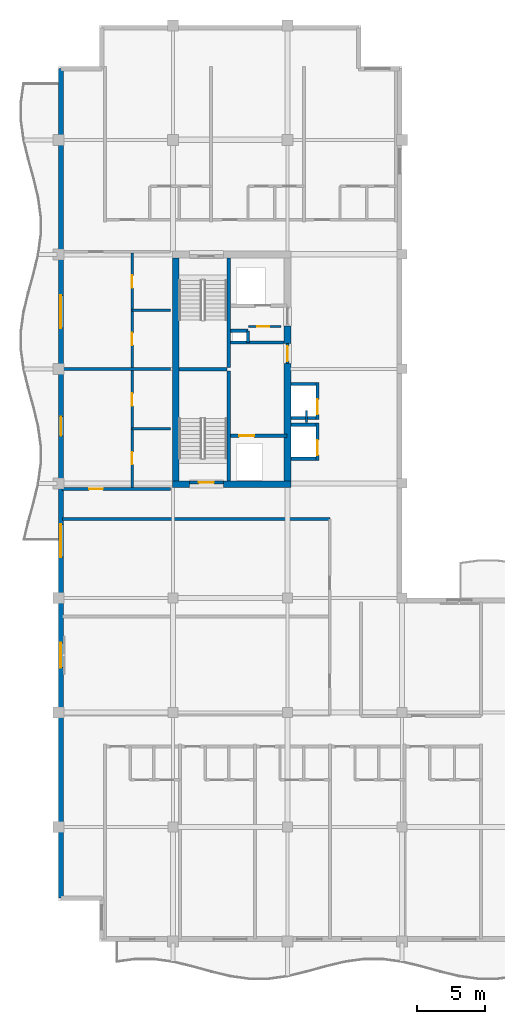
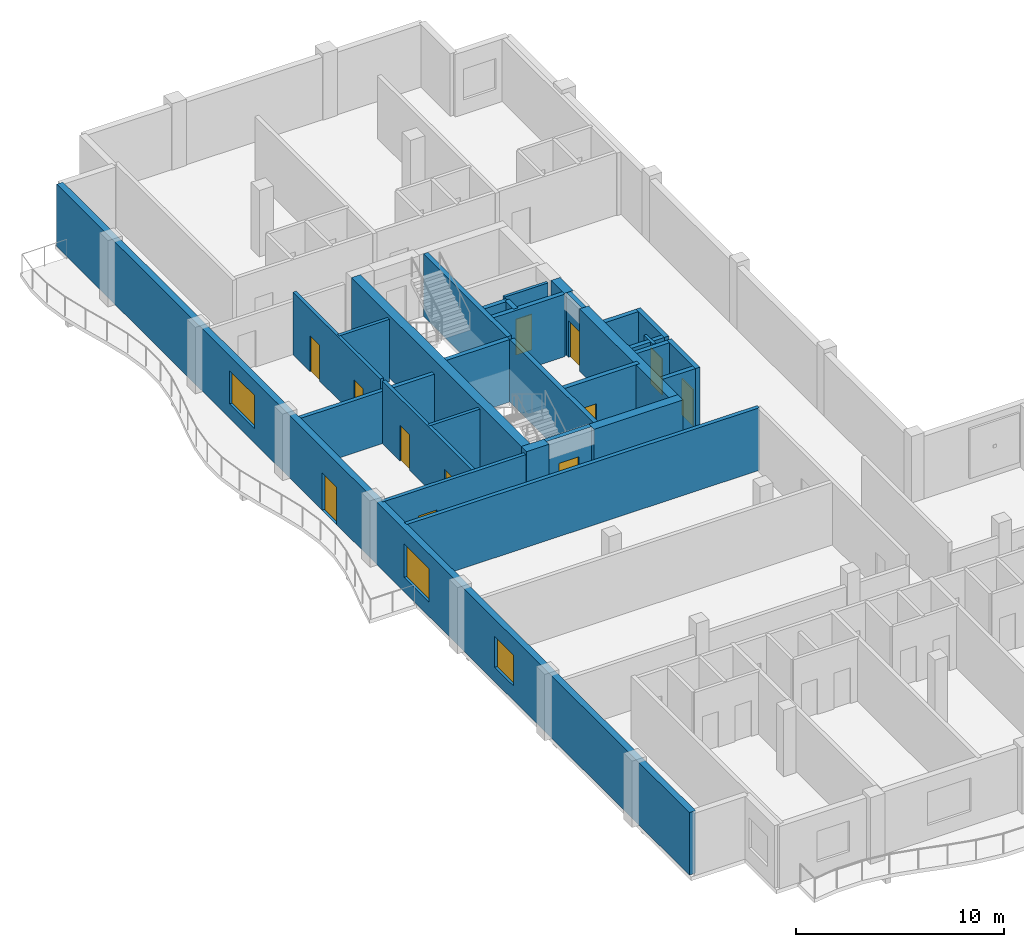
# One storey, part 6 of 12: 30 walls, 12 doors, 3 windows, 15 openings.
"""IFC4 building model written with IfcOpenShell, lengths in metres."""

from ifc_helpers import new_model, si_unit, direction, frame, frame_2d, origin, place, context, subcontext, project, spatial, rectangle, extrude, material, layer, layer_set, type_object, element, fill, save


model = new_model("IFC4")

# Units and contexts
model_context = context("Model", 3, precision=1e-05, world=origin(), true_north=direction((0.0, 1.0)))
body_context = subcontext(model_context, "Body", "Model", "MODEL_VIEW")
ifc_project = project(units=[si_unit("LENGTHUNIT", "METRE"), si_unit("AREAUNIT", "SQUARE_METRE"), si_unit("VOLUMEUNIT", "CUBIC_METRE"), si_unit("PLANEANGLEUNIT", "RADIAN"), si_unit("MASSUNIT", "GRAM", prefix="KILO")], contexts=[model_context])

# Site, building, storey
site_placement = place(None, origin())
site = spatial("IfcSite", under=ifc_project, at=site_placement, CompositionType="ELEMENT")
building_placement = place(site_placement, origin())
building = spatial("IfcBuilding", under=site, at=building_placement, Name="Koriwani Terraces Tower", CompositionType="ELEMENT")
storey_placement = place(building_placement, frame((0.0, 0.0, 351.5)))
storey = spatial("IfcBuildingStorey", under=building, at=storey_placement, Name="L87", CompositionType="ELEMENT", Elevation=351.5)

# Walls
ifc_material_1 = material(Name="Concrete C50/60", Category="concrete")
ifc_layer_1 = layer(ifc_material_1, 0.5, Name="Concrete C50/60")
ifc_layer_set_1 = layer_set([ifc_layer_1], Name="Concrete C50/60")
wall_type_1 = type_object("IfcWallType", Name="WALL_CORE_RC_500", PredefinedType="SHEAR", material=ifc_layer_set_1)
wall_1_placement = place(storey_placement, frame((16.75, 41.949951171875, 0.0), z_axis=(0.0, 0.0, 1.0), x_axis=(1.0, 0.0, 0.0)))
element("IfcWall", 1, at=wall_1_placement, inside=storey, type_object=wall_type_1, Name="L87 West Split Core Shear Wall S1", PredefinedType="SHEAR", context=body_context, shape_type="SweptSolid", body=[
    extrude(rectangle(XDim=1.25, YDim=0.5, at=frame_2d((0.625, 0.0))), origin(), (0.0, 0.0, 1.0), 3.669921875),
])
wall_2_placement = place(storey_placement, frame((20.5, 41.949951171875, 0.0), z_axis=(0.0, 0.0, 1.0), x_axis=(1.0, 0.0, 0.0)))
element("IfcWall", 2, at=wall_2_placement, inside=storey, type_object=wall_type_1, Name="L87 West Split Core Shear Wall S2", PredefinedType="SHEAR", context=body_context, shape_type="SweptSolid", body=[
    extrude(rectangle(XDim=4.949951171875, YDim=0.5, at=frame_2d((2.47509765625, 0.0))), origin(), (0.0, 0.0, 1.0), 3.669921875),
])
wall_3_placement = place(storey_placement, frame((17.0, 42.199951171875, 0.0), z_axis=(0.0, 0.0, 1.0), x_axis=(0.0, 1.0, 0.0)))
element("IfcWall", 3, at=wall_3_placement, inside=storey, type_object=wall_type_1, Name="L87 West Split Core Shear Wall W1", PredefinedType="SHEAR", context=body_context, shape_type="SweptSolid", body=[
    extrude(rectangle(XDim=16.35009765625, YDim=0.5, at=frame_2d((8.175048828125, 0.0))), origin(), (0.0, 0.0, 1.0), 3.669921875),
])
wall_4_placement = place(storey_placement, frame((25.199951171875, 42.199951171875, 0.0), z_axis=(0.0, 0.0, 1.0), x_axis=(0.0, 1.0, 0.0)))
element("IfcWall", 4, at=wall_4_placement, inside=storey, type_object=wall_type_1, Name="L87 West Split Core Shear Wall E1", PredefinedType="SHEAR", context=body_context, shape_type="SweptSolid", body=[
    extrude(rectangle(XDim=8.60009765625, YDim=0.5, at=frame_2d((4.300048828125, 0.0))), origin(), (0.0, 0.0, 1.0), 3.669921875),
])
wall_5_placement = place(storey_placement, frame((25.199951171875, 52.280029296875, 0.0), z_axis=(0.0, 0.0, 1.0), x_axis=(0.0, 1.0, 0.0)))
element("IfcWall", 5, at=wall_5_placement, inside=storey, type_object=wall_type_1, Name="L87 West Split Core Shear Wall E2", PredefinedType="SHEAR", context=body_context, shape_type="SweptSolid", body=[
    extrude(rectangle(XDim=1.27001953125, YDim=0.5, at=frame_2d((0.635009765625, 0.0))), origin(), (0.0, 0.0, 1.0), 3.669921875),
])

# Wall, opening, door
ifc_material_2 = material(Name="Autoclaved Cellular Concrete Blockwork", Category="masonry")
ifc_layer_2 = layer(ifc_material_2, 0.199951171875, Name="Autoclaved Cellular Concrete Blockwork")
ifc_layer_set_2 = layer_set([ifc_layer_2], Name="Autoclaved Cellular Concrete Blockwork")
wall_type_2 = type_object("IfcWallType", Name="WALL_CORRIDOR_200", PredefinedType="PARTITIONING", material=ifc_layer_set_2)
wall_6_placement = place(storey_placement, frame((8.64990234375, 41.60009765625, 0.0), z_axis=(0.0, 0.0, 1.0), x_axis=(1.0, 0.0, 0.0)))
wall_6 = element("IfcWall", 6, at=wall_6_placement, inside=storey, type_object=wall_type_2, Name="L87 Interior Wall WRZ4-WS-L87", PredefinedType="PARTITIONING", context=body_context, shape_type="SweptSolid", body=[
    extrude(rectangle(XDim=7.9501953125, YDim=0.199951171875, at=frame_2d((3.97509765625, 0.0))), origin(), (0.0, 0.0, 1.0), 3.669921875),
])
opening_1_placement = place(wall_6_placement, frame((2.0, 0.0, 0.0)))
opening_1 = element("IfcOpeningElement", 7, at=opening_1_placement, cuts=wall_6, Name="Opening D-05", PredefinedType="OPENING", context=body_context, shape_type="SweptSolid", body=[
    extrude(rectangle(XDim=1.0, YDim=2.14990234375, at=frame_2d((0.5, 1.074951171875))), frame((0.0, 0.10986328125, 0.0), z_axis=(0.0, -1.0, 0.0), x_axis=(1.0, 0.0, 0.0)), (0.0, 0.0, 1.0), 0.219970703125),
])
ifc_material_3 = material(Name="Architectural Oak Fire Door", Category="wood")
door_type_1 = type_object("IfcDoorType", Name="DOOR_SUITE_ENTRY_1000X2150", OperationType="NOTDEFINED", PredefinedType="DOOR", material=ifc_material_3)
door_1_placement = place(opening_1_placement, origin())
door_1 = element("IfcDoor", 8, at=door_1_placement, inside=storey, type_object=door_type_1, Name="Apartment 87RW1 Entrance Door", OperationType="SINGLE_SWING_RIGHT", OverallHeight=2.14990234375, OverallWidth=1.0, PredefinedType="DOOR", context=body_context, shape_type="SweptSolid", body=[
    extrude(rectangle(XDim=1.0, YDim=2.14990234375, at=frame_2d((0.5, 1.074951171875))), frame((0.0, 0.02490234375, 0.0), z_axis=(0.0, -1.0, 0.0), x_axis=(1.0, 0.0, 0.0)), (0.0, 0.0, 1.0), 0.050048828125),
])
fill(opening_1, door_1)

# Walls
ifc_layer_3 = layer(ifc_material_2, 0.219970703125, Name="Autoclaved Cellular Concrete Blockwork")
ifc_layer_set_3 = layer_set([ifc_layer_3], Name="Autoclaved Cellular Concrete Blockwork")
wall_type_3 = type_object("IfcWallType", Name="WALL_DEMISING_220", PredefinedType="PARTITIONING", material=ifc_layer_set_3)
wall_7_placement = place(storey_placement, frame((8.64990234375, 50.39990234375, 0.0), z_axis=(0.0, 0.0, 1.0), x_axis=(1.0, 0.0, 0.0)))
element("IfcWall", 9, at=wall_7_placement, inside=storey, type_object=wall_type_3, Name="L87 Interior Wall WRZ4-WM-L87", PredefinedType="PARTITIONING", context=body_context, shape_type="SweptSolid", body=[
    extrude(rectangle(XDim=7.9501953125, YDim=0.219970703125, at=frame_2d((3.97509765625, 0.0))), origin(), (0.0, 0.0, 1.0), 3.070068359375),
])
wall_8_placement = place(storey_placement, frame((8.699951171875, 39.39990234375, 0.0), z_axis=(0.0, 0.0, 1.0), x_axis=(1.0, 0.0, 0.0)))
element("IfcWall", 10, at=wall_8_placement, inside=storey, type_object=wall_type_3, Name="L87 Interior Wall WZ4NEN-L87", PredefinedType="PARTITIONING", context=body_context, shape_type="SweptSolid", body=[
    extrude(rectangle(XDim=19.60009765625, YDim=0.219970703125, at=frame_2d((9.800048828125, 0.0))), origin(), (0.0, 0.0, 1.0), 3.669921875),
])

# Wall, openings, door, windows
ifc_layer_4 = layer(ifc_material_1, 0.35009765625, Name="Concrete C50/60")
ifc_layer_set_4 = layer_set([ifc_layer_4], Name="Concrete C50/60")
wall_type_4 = type_object("IfcWallType", Name="WALL_EXT_BRUTALIST_350", PredefinedType="STANDARD", material=ifc_layer_set_4)
wall_9_placement = place(storey_placement, frame((8.574951171875, 11.574951171875, 0.0), z_axis=(0.0, 0.0, 1.0), x_axis=(0.0, 1.0, 0.0)))
wall_9 = element("IfcWall", 11, at=wall_9_placement, inside=storey, type_object=wall_type_4, Name="L87 Fair-Faced Brutalist Exterior Wall (W)", PredefinedType="STANDARD", context=body_context, shape_type="SweptSolid", body=[
    extrude(rectangle(XDim=60.85009765625, YDim=0.35009765625, at=frame_2d((30.425048828125, 0.0))), origin(), (0.0, 0.0, 1.0), 3.669921875),
])
opening_2_placement = place(wall_9_placement, frame((33.925048828125, 0.0, 0.0)))
opening_2 = element("IfcOpeningElement", 12, at=opening_2_placement, cuts=wall_9, Name="Opening D-09", PredefinedType="OPENING", context=body_context, shape_type="SweptSolid", body=[
    extrude(rectangle(XDim=1.39990234375, YDim=2.199951171875, at=frame_2d((0.699951171875, 1.10009765625))), frame((0.0, 0.18505859375, 0.0), z_axis=(0.0, -1.0, 0.0), x_axis=(1.0, 0.0, 0.0)), (0.0, 0.0, 1.0), 0.3701171875),
])
opening_3_placement = place(wall_9_placement, frame((16.925048828125, 0.0, 0.85009765625)))
opening_3 = element("IfcOpeningElement", 13, at=opening_3_placement, cuts=wall_9, Name="Opening W-04", PredefinedType="OPENING", context=body_context, shape_type="SweptSolid", body=[
    extrude(rectangle(XDim=1.800048828125, YDim=1.800048828125, at=frame_2d((0.89990234375, 0.89990234375))), frame((0.0, 0.18505859375, 0.0), z_axis=(0.0, -1.0, 0.0), x_axis=(1.0, 0.0, 0.0)), (0.0, 0.0, 1.0), 0.3701171875),
])
opening_4_placement = place(wall_9_placement, frame((25.02490234375, 0.0, 0.85009765625)))
opening_4 = element("IfcOpeningElement", 14, at=opening_4_placement, cuts=wall_9, Name="Opening W-03", PredefinedType="OPENING", context=body_context, shape_type="SweptSolid", body=[
    extrude(rectangle(XDim=2.39990234375, YDim=1.949951171875, at=frame_2d((1.199951171875, 0.97509765625))), frame((0.0, 0.18505859375, 0.0), z_axis=(0.0, -1.0, 0.0), x_axis=(1.0, 0.0, 0.0)), (0.0, 0.0, 1.0), 0.3701171875),
])
opening_5_placement = place(wall_9_placement, frame((41.824951171875, 0.0, 0.85009765625)))
opening_5 = element("IfcOpeningElement", 15, at=opening_5_placement, cuts=wall_9, Name="Opening W-03", PredefinedType="OPENING", context=body_context, shape_type="SweptSolid", body=[
    extrude(rectangle(XDim=2.39990234375, YDim=1.949951171875, at=frame_2d((1.199951171875, 0.97509765625))), frame((0.0, 0.18505859375, 0.0), z_axis=(0.0, -1.0, 0.0), x_axis=(1.0, 0.0, 0.0)), (0.0, 0.0, 1.0), 0.3701171875),
])
ifc_material_4 = material(Name="Anodised Bronze Aluminium", Category="aluminium")
door_type_2 = type_object("IfcDoorType", Name="DOOR_BALCONY_GLAZED_1400X2200", OperationType="NOTDEFINED", PredefinedType="DOOR", material=ifc_material_4)
door_2_placement = place(opening_2_placement, origin())
door_2 = element("IfcDoor", 16, at=door_2_placement, inside=storey, type_object=door_type_2, Name="L87 West Balcony Glazed Door", OperationType="SINGLE_SWING_LEFT", OverallHeight=2.199951171875, OverallWidth=1.39990234375, PredefinedType="DOOR", context=body_context, shape_type="SweptSolid", body=[
    extrude(rectangle(XDim=1.39990234375, YDim=2.199951171875, at=frame_2d((0.699951171875, 1.10009765625))), frame((0.0, 0.02490234375, 0.0), z_axis=(0.0, -1.0, 0.0), x_axis=(1.0, 0.0, 0.0)), (0.0, 0.0, 1.0), 0.050048828125),
])
fill(opening_2, door_2)
ifc_material_5 = material(Name="Tempered Laminated Low-E Glass", Category="glass")
window_type_1 = type_object("IfcWindowType", Name="WIN_RES_BED_1800X1800", PartitioningType="DOUBLE_PANEL_VERTICAL", PredefinedType="WINDOW", material=ifc_material_5)
window_1_placement = place(opening_3_placement, origin())
window_1 = element("IfcWindow", 17, at=window_1_placement, inside=storey, type_object=window_type_1, Name="L87 Exterior Window (W-6)", OverallHeight=1.800048828125, OverallWidth=1.800048828125, PartitioningType="SINGLE_PANEL", PredefinedType="WINDOW", context=body_context, shape_type="SweptSolid", body=[
    extrude(rectangle(XDim=1.800048828125, YDim=1.800048828125, at=frame_2d((0.89990234375, 0.89990234375))), frame((0.0, 0.030029296875, 0.0), z_axis=(0.0, -1.0, 0.0), x_axis=(1.0, 0.0, 0.0)), (0.0, 0.0, 1.0), 0.06005859375),
])
fill(opening_3, window_1)
window_type_2 = type_object("IfcWindowType", Name="WIN_RES_LIVING_2400X1950", PartitioningType="DOUBLE_PANEL_VERTICAL", PredefinedType="WINDOW", material=ifc_material_5)
window_2_placement = place(opening_4_placement, origin())
window_2 = element("IfcWindow", 18, at=window_2_placement, inside=storey, type_object=window_type_2, Name="L87 Exterior Window (W-9)", OverallHeight=1.949951171875, OverallWidth=2.39990234375, PartitioningType="SINGLE_PANEL", PredefinedType="WINDOW", context=body_context, shape_type="SweptSolid", body=[
    extrude(rectangle(XDim=2.39990234375, YDim=1.949951171875, at=frame_2d((1.199951171875, 0.97509765625))), frame((0.0, 0.030029296875, 0.0), z_axis=(0.0, -1.0, 0.0), x_axis=(1.0, 0.0, 0.0)), (0.0, 0.0, 1.0), 0.06005859375),
])
fill(opening_4, window_2)
window_3_placement = place(opening_5_placement, origin())
window_3 = element("IfcWindow", 19, at=window_3_placement, inside=storey, type_object=window_type_2, Name="L87 Exterior Window (W-15)", OverallHeight=1.949951171875, OverallWidth=2.39990234375, PartitioningType="SINGLE_PANEL", PredefinedType="WINDOW", context=body_context, shape_type="SweptSolid", body=[
    extrude(rectangle(XDim=2.39990234375, YDim=1.949951171875, at=frame_2d((1.199951171875, 0.97509765625))), frame((0.0, 0.030029296875, 0.0), z_axis=(0.0, -1.0, 0.0), x_axis=(1.0, 0.0, 0.0)), (0.0, 0.0, 1.0), 0.06005859375),
])
fill(opening_5, window_3)

# Wall, openings, doors
ifc_material_6 = material(Name="Fire-Rated Acoustic Gypsum Partition", Category="masonry")
ifc_layer_5 = layer(ifc_material_6, 0.179931640625, Name="Fire-Rated Acoustic Gypsum Partition")
ifc_layer_set_5 = layer_set([ifc_layer_5], Name="Fire-Rated Acoustic Gypsum Partition")
wall_type_5 = type_object("IfcWallType", Name="WALL_PLUMBING_180", PredefinedType="PLUMBINGWALL", material=ifc_layer_set_5)
wall_10_placement = place(storey_placement, frame((13.800048828125, 41.699951171875, 0.0), z_axis=(0.0, 0.0, 1.0), x_axis=(0.0, 1.0, 0.0)))
wall_10 = element("IfcWall", 20, at=wall_10_placement, inside=storey, type_object=wall_type_5, Name="L87 Interior Wall WRZ4-RW1-PB-L87", PredefinedType="PLUMBINGWALL", context=body_context, shape_type="SweptSolid", body=[
    extrude(rectangle(XDim=8.60009765625, YDim=0.179931640625, at=frame_2d((4.300048828125, 0.0))), origin(), (0.0, 0.0, 1.0), 3.669921875),
])
opening_6_placement = place(wall_10_placement, frame((1.699951171875, 0.0, 0.0)))
opening_6 = element("IfcOpeningElement", 21, at=opening_6_placement, cuts=wall_10, Name="Opening D-07", PredefinedType="OPENING", context=body_context, shape_type="SweptSolid", body=[
    extrude(rectangle(XDim=0.89990234375, YDim=2.10009765625, at=frame_2d((0.449951171875, 1.050048828125))), frame((0.0, 0.10009765625, 0.0), z_axis=(0.0, -1.0, 0.0), x_axis=(1.0, 0.0, 0.0)), (0.0, 0.0, 1.0), 0.199951171875),
])
opening_7_placement = place(wall_10_placement, frame((5.989990234375, 0.0, 0.0)))
opening_7 = element("IfcOpeningElement", 22, at=opening_7_placement, cuts=wall_10, Name="Opening D-06", PredefinedType="OPENING", context=body_context, shape_type="SweptSolid", body=[
    extrude(rectangle(XDim=0.919921875, YDim=2.10009765625, at=frame_2d((0.4599609375, 1.050048828125))), frame((0.0, 0.10009765625, 0.0), z_axis=(0.0, -1.0, 0.0), x_axis=(1.0, 0.0, 0.0)), (0.0, 0.0, 1.0), 0.199951171875),
])
door_type_3 = type_object("IfcDoorType", Name="DOOR_BATH_INT_900X2100", OperationType="NOTDEFINED", PredefinedType="DOOR", material=ifc_material_3)
door_3_placement = place(opening_6_placement, origin())
door_3 = element("IfcDoor", 23, at=door_3_placement, inside=storey, type_object=door_type_3, Name="Apartment 87RW1 Bathroom Door", OperationType="SINGLE_SWING_RIGHT", OverallHeight=2.10009765625, OverallWidth=0.89990234375, PredefinedType="DOOR", context=body_context, shape_type="SweptSolid", body=[
    extrude(rectangle(XDim=0.89990234375, YDim=2.10009765625, at=frame_2d((0.449951171875, 1.050048828125))), frame((0.0, 0.02490234375, 0.0), z_axis=(0.0, -1.0, 0.0), x_axis=(1.0, 0.0, 0.0)), (0.0, 0.0, 1.0), 0.050048828125),
])
fill(opening_6, door_3)
door_type_4 = type_object("IfcDoorType", Name="DOOR_ROOM_INT_920X2100", OperationType="NOTDEFINED", PredefinedType="DOOR", material=ifc_material_3)
door_4_placement = place(opening_7_placement, origin())
door_4 = element("IfcDoor", 24, at=door_4_placement, inside=storey, type_object=door_type_4, Name="Apartment 87RW1 Kitchen Door", OperationType="SINGLE_SWING_LEFT", OverallHeight=2.10009765625, OverallWidth=0.919921875, PredefinedType="DOOR", context=body_context, shape_type="SweptSolid", body=[
    extrude(rectangle(XDim=0.919921875, YDim=2.10009765625, at=frame_2d((0.4599609375, 1.050048828125))), frame((0.0, 0.02490234375, 0.0), z_axis=(0.0, -1.0, 0.0), x_axis=(1.0, 0.0, 0.0)), (0.0, 0.0, 1.0), 0.050048828125),
])
fill(opening_7, door_4)

# Wall
wall_11_placement = place(storey_placement, frame((13.800048828125, 46.0, 0.0), z_axis=(0.0, 0.0, 1.0), x_axis=(1.0, 0.0, 0.0)))
element("IfcWall", 25, at=wall_11_placement, inside=storey, type_object=wall_type_5, Name="L87 Interior Wall WRZ4-RW1-P2-L87", PredefinedType="PLUMBINGWALL", context=body_context, shape_type="SweptSolid", body=[
    extrude(rectangle(XDim=2.800048828125, YDim=0.179931640625, at=frame_2d((1.39990234375, 0.0))), origin(), (0.0, 0.0, 1.0), 3.669921875),
])

# Wall, openings, doors
wall_12_placement = place(storey_placement, frame((13.800048828125, 50.5, 0.0), z_axis=(0.0, 0.0, 1.0), x_axis=(0.0, 1.0, 0.0)))
wall_12 = element("IfcWall", 26, at=wall_12_placement, inside=storey, type_object=wall_type_5, Name="L87 Interior Wall WRZ4-RW2-PB-L87", PredefinedType="PLUMBINGWALL", context=body_context, shape_type="SweptSolid", body=[
    extrude(rectangle(XDim=8.39990234375, YDim=0.179931640625, at=frame_2d((4.199951171875, 0.0))), origin(), (0.0, 0.0, 1.0), 3.669921875),
])
opening_8_placement = place(wall_12_placement, frame((1.64990234375, 0.0, 0.0)))
opening_8 = element("IfcOpeningElement", 27, at=opening_8_placement, cuts=wall_12, Name="Opening D-07", PredefinedType="OPENING", context=body_context, shape_type="SweptSolid", body=[
    extrude(rectangle(XDim=0.89990234375, YDim=2.10009765625, at=frame_2d((0.449951171875, 1.050048828125))), frame((0.0, 0.10009765625, 0.0), z_axis=(0.0, -1.0, 0.0), x_axis=(1.0, 0.0, 0.0)), (0.0, 0.0, 1.0), 0.199951171875),
])
opening_9_placement = place(wall_12_placement, frame((5.840087890625, 0.0, 0.0)))
opening_9 = element("IfcOpeningElement", 28, at=opening_9_placement, cuts=wall_12, Name="Opening D-06", PredefinedType="OPENING", context=body_context, shape_type="SweptSolid", body=[
    extrude(rectangle(XDim=0.919921875, YDim=2.10009765625, at=frame_2d((0.4599609375, 1.050048828125))), frame((0.0, 0.10009765625, 0.0), z_axis=(0.0, -1.0, 0.0), x_axis=(1.0, 0.0, 0.0)), (0.0, 0.0, 1.0), 0.199951171875),
])
door_5_placement = place(opening_8_placement, origin())
door_5 = element("IfcDoor", 29, at=door_5_placement, inside=storey, type_object=door_type_3, Name="Apartment 87RW2 Bathroom Door", OperationType="SINGLE_SWING_RIGHT", OverallHeight=2.10009765625, OverallWidth=0.89990234375, PredefinedType="DOOR", context=body_context, shape_type="SweptSolid", body=[
    extrude(rectangle(XDim=0.89990234375, YDim=2.10009765625, at=frame_2d((0.449951171875, 1.050048828125))), frame((0.0, 0.02490234375, 0.0), z_axis=(0.0, -1.0, 0.0), x_axis=(1.0, 0.0, 0.0)), (0.0, 0.0, 1.0), 0.050048828125),
])
fill(opening_8, door_5)
door_6_placement = place(opening_9_placement, origin())
door_6 = element("IfcDoor", 30, at=door_6_placement, inside=storey, type_object=door_type_4, Name="Apartment 87RW2 Kitchen Door", OperationType="SINGLE_SWING_LEFT", OverallHeight=2.10009765625, OverallWidth=0.919921875, PredefinedType="DOOR", context=body_context, shape_type="SweptSolid", body=[
    extrude(rectangle(XDim=0.919921875, YDim=2.10009765625, at=frame_2d((0.4599609375, 1.050048828125))), frame((0.0, 0.02490234375, 0.0), z_axis=(0.0, -1.0, 0.0), x_axis=(1.0, 0.0, 0.0)), (0.0, 0.0, 1.0), 0.050048828125),
])
fill(opening_9, door_6)

# Walls
wall_13_placement = place(storey_placement, frame((13.800048828125, 54.699951171875, 0.0), z_axis=(0.0, 0.0, 1.0), x_axis=(1.0, 0.0, 0.0)))
element("IfcWall", 31, at=wall_13_placement, inside=storey, type_object=wall_type_5, Name="L87 Interior Wall WRZ4-RW2-P2-L87", PredefinedType="PLUMBINGWALL", context=body_context, shape_type="SweptSolid", body=[
    extrude(rectangle(XDim=2.800048828125, YDim=0.179931640625, at=frame_2d((1.39990234375, 0.0))), origin(), (0.0, 0.0, 1.0), 3.669921875),
])
ifc_material_7 = material(Name="Concrete C40/50", Category="concrete")
ifc_layer_6 = layer(ifc_material_7, 0.25, Name="Concrete C40/50")
ifc_layer_set_6 = layer_set([ifc_layer_6], Name="Concrete C40/50")
wall_type_6 = type_object("IfcWallType", Name="WALL_SHAFT_RATED_250", PredefinedType="SOLIDWALL", material=ifc_layer_set_6)
for number, where, z_axis, x_axis, name in (
    (32, (20.875, 42.199951171875, 0.0), (0.0, 0.0, 1.0), (0.0, 1.0, 0.0), "L87 West Split Core Web Wall MID1"),
    (33, (20.875, 50.5, 0.0), (0.0, 0.0, 1.0), (0.0, 1.0, 0.0), "L87 West Split Core Web Wall MID2"),
):
    element("IfcWall", number, at=place(storey_placement, frame(where, z_axis=z_axis, x_axis=x_axis)), inside=storey, type_object=wall_type_6, Name=name, PredefinedType="SOLIDWALL", context=body_context, shape_type="SweptSolid", body=[
        extrude(rectangle(XDim=8.050048828125, YDim=0.25, at=frame_2d((4.02490234375, 0.0))), origin(), (0.0, 0.0, 1.0), 3.669921875),
    ])
wall_14_placement = place(storey_placement, frame((17.25, 50.375, 0.0), z_axis=(0.0, 0.0, 1.0), x_axis=(1.0, 0.0, 0.0)))
element("IfcWall", 34, at=wall_14_placement, inside=storey, type_object=wall_type_6, Name="L87 West Split Core Stair Dividing Wall", PredefinedType="SOLIDWALL", context=body_context, shape_type="SweptSolid", body=[
    extrude(rectangle(XDim=3.5, YDim=0.25, at=frame_2d((1.75, 0.0))), origin(), (0.0, 0.0, 1.0), 3.669921875),
])

# Wall, opening, door
wall_15_placement = place(storey_placement, frame((18.0, 42.074951171875, 0.0), z_axis=(0.0, 0.0, 1.0), x_axis=(1.0, 0.0, 0.0)))
wall_15 = element("IfcWall", 35, at=wall_15_placement, inside=storey, type_object=wall_type_6, Name="L87 Interior Wall WIN-CW-L87-STS", PredefinedType="SOLIDWALL", context=body_context, shape_type="SweptSolid", body=[
    extrude(rectangle(XDim=2.5, YDim=0.25, at=frame_2d((1.25, 0.0))), origin(), (0.0, 0.0, 1.0), 3.669921875),
])
opening_10_placement = place(wall_15_placement, frame((0.699951171875, 0.0, 0.0)))
opening_10 = element("IfcOpeningElement", 36, at=opening_10_placement, cuts=wall_15, Name="Opening D-03", PredefinedType="OPENING", context=body_context, shape_type="SweptSolid", body=[
    extrude(rectangle(XDim=1.10009765625, YDim=2.14990234375, at=frame_2d((0.550048828125, 1.074951171875))), frame((0.0, 0.135009765625, 0.0), z_axis=(0.0, -1.0, 0.0), x_axis=(1.0, 0.0, 0.0)), (0.0, 0.0, 1.0), 0.27001953125),
])
ifc_material_8 = material(Name="Steel ASTM A572 Grade 50", Category="steel")
door_type_5 = type_object("IfcDoorType", Name="DOOR_STAIR_FIRE_1100X2150", OperationType="NOTDEFINED", PredefinedType="DOOR", material=ifc_material_8)
door_7_placement = place(opening_10_placement, origin())
door_7 = element("IfcDoor", 37, at=door_7_placement, inside=storey, type_object=door_type_5, Name="L87 Exit Stair ST-W1 Door", OperationType="SINGLE_SWING_LEFT", OverallHeight=2.14990234375, OverallWidth=1.10009765625, PredefinedType="DOOR", context=body_context, shape_type="SweptSolid", body=[
    extrude(rectangle(XDim=1.10009765625, YDim=2.14990234375, at=frame_2d((0.550048828125, 1.074951171875))), frame((0.0, 0.02490234375, 0.0), z_axis=(0.0, -1.0, 0.0), x_axis=(1.0, 0.0, 0.0)), (0.0, 0.0, 1.0), 0.050048828125),
])
fill(opening_10, door_7)

wall_16_placement = place(storey_placement, frame((21.0, 45.5, 0.0), z_axis=(0.0, 0.0, 1.0), x_axis=(1.0, 0.0, 0.0)))
wall_16 = element("IfcWall", 38, at=wall_16_placement, inside=storey, type_object=wall_type_6, Name="L87 Interior Wall WIN-CW-L87-FE", PredefinedType="SOLIDWALL", context=body_context, shape_type="SweptSolid", body=[
    extrude(rectangle(XDim=4.14990234375, YDim=0.25, at=frame_2d((2.074951171875, 0.0))), origin(), (0.0, 0.0, 1.0), 3.669921875),
])
opening_11_placement = place(wall_16_placement, frame((0.64990234375, 0.0, 0.0)))
opening_11 = element("IfcOpeningElement", 39, at=opening_11_placement, cuts=wall_16, Name="Opening LD-01", PredefinedType="OPENING", context=body_context, shape_type="SweptSolid", body=[
    extrude(rectangle(XDim=1.10009765625, YDim=2.14990234375, at=frame_2d((0.550048828125, 1.074951171875))), frame((0.0, 0.135009765625, 0.0), z_axis=(0.0, -1.0, 0.0), x_axis=(1.0, 0.0, 0.0)), (0.0, 0.0, 1.0), 0.27001953125),
])
door_type_6 = type_object("IfcDoorType", Name="DOOR_LIFT_LANDING_1100X2200", OperationType="NOTDEFINED", PredefinedType="DOOR", material=ifc_material_8)
door_8_placement = place(opening_11_placement, origin())
door_8 = element("IfcDoor", 40, at=door_8_placement, inside=storey, type_object=door_type_6, Name="L87 Firefighting Lift FE-01 Landing Door", OperationType="SLIDING_TO_LEFT", OverallHeight=2.14990234375, OverallWidth=1.10009765625, PredefinedType="DOOR", context=body_context, shape_type="SweptSolid", body=[
    extrude(rectangle(XDim=1.10009765625, YDim=2.14990234375, at=frame_2d((0.550048828125, 1.074951171875))), frame((0.0, 0.02490234375, 0.0), z_axis=(0.0, -1.0, 0.0), x_axis=(1.0, 0.0, 0.0)), (0.0, 0.0, 1.0), 0.050048828125),
])
fill(opening_11, door_8)

wall_17_placement = place(storey_placement, frame((25.199951171875, 50.800048828125, 0.0), z_axis=(0.0, 0.0, 1.0), x_axis=(0.0, 1.0, 0.0)))
wall_17 = element("IfcWall", 41, at=wall_17_placement, inside=storey, type_object=wall_type_6, Name="L87 Interior Wall WIN-CW-L87-EP", PredefinedType="SOLIDWALL", context=body_context, shape_type="SweptSolid", body=[
    extrude(rectangle(XDim=1.47998046875, YDim=0.25, at=frame_2d((0.739990234375, 0.0))), origin(), (0.0, 0.0, 1.0), 3.669921875),
])
opening_12_placement = place(wall_17_placement, frame((0.179931640625, 0.0, 0.0)))
opening_12 = element("IfcOpeningElement", 42, at=opening_12_placement, cuts=wall_17, Name="Opening D-03", PredefinedType="OPENING", context=body_context, shape_type="SweptSolid", body=[
    extrude(rectangle(XDim=1.10009765625, YDim=2.14990234375, at=frame_2d((0.550048828125, 1.074951171875))), frame((0.0, 0.135009765625, 0.0), z_axis=(0.0, -1.0, 0.0), x_axis=(1.0, 0.0, 0.0)), (0.0, 0.0, 1.0), 0.27001953125),
])
door_9_placement = place(opening_12_placement, origin())
door_9 = element("IfcDoor", 43, at=door_9_placement, inside=storey, type_object=door_type_5, Name="L87 West Firefighting Lobby Door", OperationType="SINGLE_SWING_LEFT", OverallHeight=2.14990234375, OverallWidth=1.10009765625, PredefinedType="DOOR", context=body_context, shape_type="SweptSolid", body=[
    extrude(rectangle(XDim=1.10009765625, YDim=2.14990234375, at=frame_2d((0.550048828125, 1.074951171875))), frame((0.0, 0.02490234375, 0.0), z_axis=(0.0, -1.0, 0.0), x_axis=(1.0, 0.0, 0.0)), (0.0, 0.0, 1.0), 0.050048828125),
])
fill(opening_12, door_9)

# Walls
wall_18_placement = place(storey_placement, frame((21.0, 52.340087890625, 0.0), z_axis=(0.0, 0.0, 1.0), x_axis=(1.0, 0.0, 0.0)))
element("IfcWall", 44, at=wall_18_placement, inside=storey, type_object=wall_type_6, Name="L87 Interior Wall WIN-CW-L87-FFN", PredefinedType="SOLIDWALL", context=body_context, shape_type="SweptSolid", body=[
    extrude(rectangle(XDim=3.949951171875, YDim=0.25, at=frame_2d((1.97509765625, 0.0))), origin(), (0.0, 0.0, 1.0), 3.669921875),
])
wall_19_placement = place(storey_placement, frame((21.0, 53.199951171875, 0.0), z_axis=(0.0, 0.0, 1.0), x_axis=(1.0, 0.0, 0.0)))
element("IfcWall", 45, at=wall_19_placement, inside=storey, type_object=wall_type_6, Name="L87 Interior Wall WIN-CW-L87-RS1", PredefinedType="SOLIDWALL", context=body_context, shape_type="SweptSolid", body=[
    extrude(rectangle(XDim=1.300048828125, YDim=0.25, at=frame_2d((0.64990234375, 0.0))), origin(), (0.0, 0.0, 1.0), 3.669921875),
])
wall_20_placement = place(storey_placement, frame((22.300048828125, 52.360107421875, 0.0), z_axis=(0.0, 0.0, 1.0), x_axis=(0.0, 1.0, 0.0)))
element("IfcWall", 46, at=wall_20_placement, inside=storey, type_object=wall_type_6, Name="L87 Interior Wall WIN-CW-L87-RS2", PredefinedType="SOLIDWALL", context=body_context, shape_type="SweptSolid", body=[
    extrude(rectangle(XDim=0.83984375, YDim=0.25, at=frame_2d((0.419921875, 0.0))), origin(), (0.0, 0.0, 1.0), 3.669921875),
])

# Wall, opening, door
wall_21_placement = place(storey_placement, frame((27.39990234375, 43.675048828125, 0.0), z_axis=(0.0, 0.0, 1.0), x_axis=(0.0, 1.0, 0.0)))
wall_21 = element("IfcWall", 47, at=wall_21_placement, inside=storey, type_object=wall_type_6, Name="L87 Interior Wall WIN-LF-PE-H1-L87-F", PredefinedType="SOLIDWALL", context=body_context, shape_type="SweptSolid", body=[
    extrude(rectangle(XDim=2.75, YDim=0.25, at=frame_2d((1.375, 0.0))), origin(), (0.0, 0.0, 1.0), 3.669921875),
])
opening_13_placement = place(wall_21_placement, frame((0.39990234375, 0.0, 0.0)))
opening_13 = element("IfcOpeningElement", 48, at=opening_13_placement, cuts=wall_21, Name="Opening LD-01", PredefinedType="OPENING", context=body_context, shape_type="SweptSolid", body=[
    extrude(rectangle(XDim=1.10009765625, YDim=2.14990234375, at=frame_2d((0.550048828125, 1.074951171875))), frame((0.0, 0.135009765625, 0.0), z_axis=(0.0, -1.0, 0.0), x_axis=(1.0, 0.0, 0.0)), (0.0, 0.0, 1.0), 0.27001953125),
])
door_10_placement = place(opening_13_placement, origin())
door_10 = element("IfcDoor", 49, at=door_10_placement, inside=storey, type_object=door_type_6, Name="L87 Passenger Lift PE-H1 Landing Door", OperationType="SLIDING_TO_LEFT", OverallHeight=2.14990234375, OverallWidth=1.10009765625, PredefinedType="DOOR", context=body_context, shape_type="SweptSolid", body=[
    extrude(rectangle(XDim=1.10009765625, YDim=2.14990234375, at=frame_2d((0.550048828125, 1.074951171875))), frame((0.0, 0.02490234375, 0.0), z_axis=(0.0, -1.0, 0.0), x_axis=(1.0, 0.0, 0.0)), (0.0, 0.0, 1.0), 0.050048828125),
])
fill(opening_13, door_10)

# Walls
for number, where, z_axis, x_axis, name in (
    (50, (25.449951171875, 43.800048828125, 0.0), (0.0, 0.0, 1.0), (1.0, 0.0, 0.0), "L87 Interior Wall WIN-LF-PE-H1-L87-S"),
    (51, (25.449951171875, 46.300048828125, 0.0), (0.0, 0.0, 1.0), (1.0, 0.0, 0.0), "L87 Interior Wall WIN-LF-PE-H1-L87-N"),
):
    element("IfcWall", number, at=place(storey_placement, frame(where, z_axis=z_axis, x_axis=x_axis)), inside=storey, type_object=wall_type_6, Name=name, PredefinedType="SOLIDWALL", context=body_context, shape_type="SweptSolid", body=[
        extrude(rectangle(XDim=1.824951171875, YDim=0.25, at=frame_2d((0.91259765625, 0.0))), origin(), (0.0, 0.0, 1.0), 3.669921875),
    ])

# Wall, opening, door
wall_22_placement = place(storey_placement, frame((27.39990234375, 46.675048828125, 0.0), z_axis=(0.0, 0.0, 1.0), x_axis=(0.0, 1.0, 0.0)))
wall_22 = element("IfcWall", 52, at=wall_22_placement, inside=storey, type_object=wall_type_6, Name="L87 Interior Wall WIN-LF-PE-H2-L87-F", PredefinedType="SOLIDWALL", context=body_context, shape_type="SweptSolid", body=[
    extrude(rectangle(XDim=2.75, YDim=0.25, at=frame_2d((1.375, 0.0))), origin(), (0.0, 0.0, 1.0), 3.669921875),
])
opening_14_placement = place(wall_22_placement, frame((0.39990234375, 0.0, 0.0)))
opening_14 = element("IfcOpeningElement", 53, at=opening_14_placement, cuts=wall_22, Name="Opening LD-01", PredefinedType="OPENING", context=body_context, shape_type="SweptSolid", body=[
    extrude(rectangle(XDim=1.10009765625, YDim=2.14990234375, at=frame_2d((0.550048828125, 1.074951171875))), frame((0.0, 0.135009765625, 0.0), z_axis=(0.0, -1.0, 0.0), x_axis=(1.0, 0.0, 0.0)), (0.0, 0.0, 1.0), 0.27001953125),
])
door_11_placement = place(opening_14_placement, origin())
door_11 = element("IfcDoor", 54, at=door_11_placement, inside=storey, type_object=door_type_6, Name="L87 Passenger Lift PE-H2 Landing Door", OperationType="SLIDING_TO_LEFT", OverallHeight=2.14990234375, OverallWidth=1.10009765625, PredefinedType="DOOR", context=body_context, shape_type="SweptSolid", body=[
    extrude(rectangle(XDim=1.10009765625, YDim=2.14990234375, at=frame_2d((0.550048828125, 1.074951171875))), frame((0.0, 0.02490234375, 0.0), z_axis=(0.0, -1.0, 0.0), x_axis=(1.0, 0.0, 0.0)), (0.0, 0.0, 1.0), 0.050048828125),
])
fill(opening_14, door_11)

# Walls
for number, where, z_axis, x_axis, name in (
    (55, (25.449951171875, 46.800048828125, 0.0), (0.0, 0.0, 1.0), (1.0, 0.0, 0.0), "L87 Interior Wall WIN-LF-PE-H2-L87-S"),
    (56, (25.449951171875, 49.300048828125, 0.0), (0.0, 0.0, 1.0), (1.0, 0.0, 0.0), "L87 Interior Wall WIN-LF-PE-H2-L87-N"),
):
    element("IfcWall", number, at=place(storey_placement, frame(where, z_axis=z_axis, x_axis=x_axis)), inside=storey, type_object=wall_type_6, Name=name, PredefinedType="SOLIDWALL", context=body_context, shape_type="SweptSolid", body=[
        extrude(rectangle(XDim=1.824951171875, YDim=0.25, at=frame_2d((0.91259765625, 0.0))), origin(), (0.0, 0.0, 1.0), 3.669921875),
    ])

# Wall, opening, door
ifc_layer_7 = layer(ifc_material_6, 0.159912109375, Name="Fire-Rated Acoustic Gypsum Partition")
ifc_layer_set_7 = layer_set([ifc_layer_7], Name="Fire-Rated Acoustic Gypsum Partition")
wall_type_7 = type_object("IfcWallType", Name="WALL_SUITE_160", PredefinedType="PARTITIONING", material=ifc_layer_set_7)
wall_23_placement = place(storey_placement, frame((22.320068359375, 53.52001953125, 0.0), z_axis=(0.0, 0.0, 1.0), x_axis=(1.0, 0.0, 0.0)))
wall_23 = element("IfcWall", 57, at=wall_23_placement, inside=storey, type_object=wall_type_7, Name="L87 Interior Wall WIN-CW-L87-SV0", PredefinedType="PARTITIONING", context=body_context, shape_type="SweptSolid", body=[
    extrude(rectangle(XDim=2.39990234375, YDim=0.159912109375, at=frame_2d((1.199951171875, 0.0))), origin(), (0.0, 0.0, 1.0), 3.669921875),
])
opening_15_placement = place(wall_23_placement, frame((0.64990234375, 0.0, 0.0)))
opening_15 = element("IfcOpeningElement", 58, at=opening_15_placement, cuts=wall_23, Name="Opening D-07", PredefinedType="OPENING", context=body_context, shape_type="SweptSolid", body=[
    extrude(rectangle(XDim=0.89990234375, YDim=2.10009765625, at=frame_2d((0.449951171875, 1.050048828125))), frame((0.0, 0.08984375, 0.0), z_axis=(0.0, -1.0, 0.0), x_axis=(1.0, 0.0, 0.0)), (0.0, 0.0, 1.0), 0.179931640625),
])
door_12_placement = place(opening_15_placement, origin())
door_12 = element("IfcDoor", 59, at=door_12_placement, inside=storey, type_object=door_type_3, Name="L87 West Electrical Switch Room Door", OperationType="SINGLE_SWING_LEFT", OverallHeight=2.10009765625, OverallWidth=0.89990234375, PredefinedType="DOOR", context=body_context, shape_type="SweptSolid", body=[
    extrude(rectangle(XDim=0.89990234375, YDim=2.10009765625, at=frame_2d((0.449951171875, 1.050048828125))), frame((0.0, 0.02490234375, 0.0), z_axis=(0.0, -1.0, 0.0), x_axis=(1.0, 0.0, 0.0)), (0.0, 0.0, 1.0), 0.050048828125),
])
fill(opening_15, door_12)

# Wall
wall_24_placement = place(storey_placement, frame((26.60009765625, 46.4599609375, 0.0), z_axis=(0.0, 0.0, 1.0), x_axis=(0.0, 1.0, 0.0)))
element("IfcWall", 60, at=wall_24_placement, inside=storey, type_object=wall_type_7, Name="L87 Interior Wall WIN-LF-PEH12-MID-L87", PredefinedType="PARTITIONING", context=body_context, shape_type="SweptSolid", body=[
    extrude(rectangle(XDim=0.880126953125, YDim=0.159912109375, at=frame_2d((0.43994140625, 0.0))), origin(), (0.0, 0.0, 1.0), 3.669921875),
])

save(model, "model.ifc")
